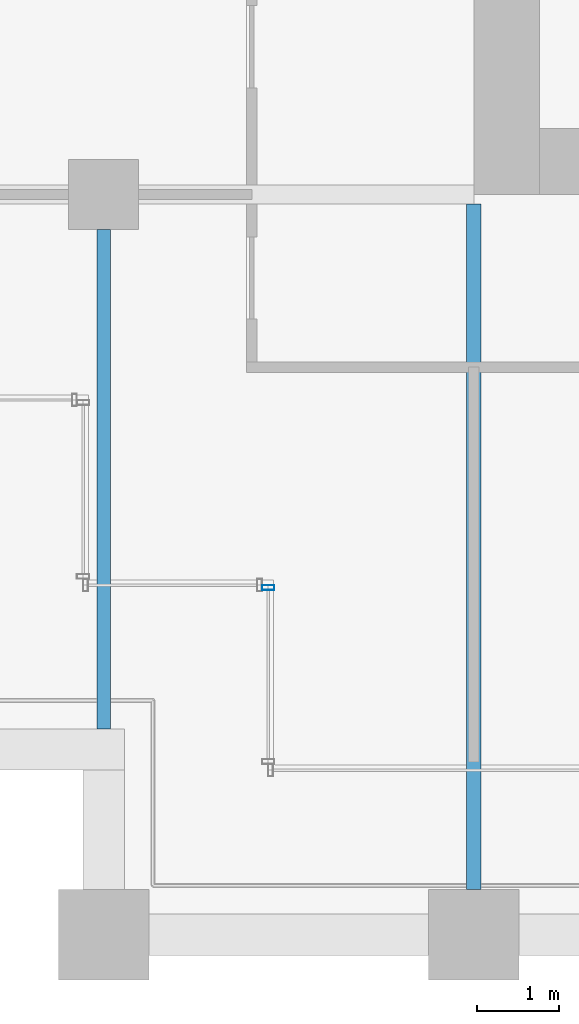
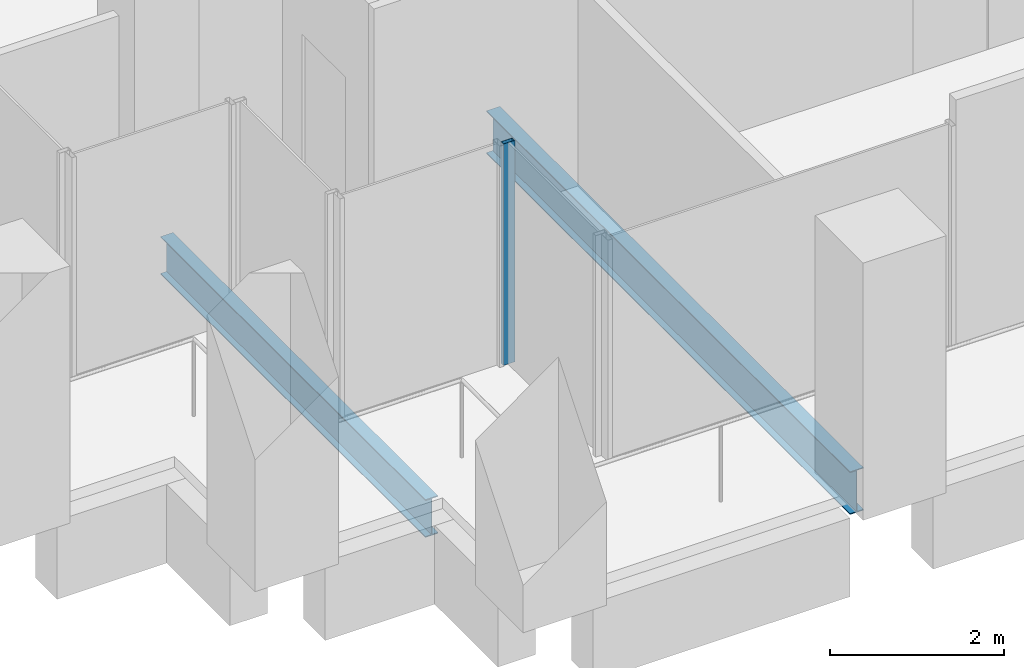
# One storey, part 35 of 56: 2 beams, 1 member, 1 element without a shape of its own.
"""IFC4 building model written with IfcOpenShell, lengths in metres."""

from ifc_helpers import new_model, si_unit, direction, frame, origin, origin_2d, place, context, subcontext, project, spatial, hollow_rectangle, i_section, extrude, material, material_profile, profile_set, type_object, element, aggregate, save


model = new_model("IFC4")

# Units and contexts
model_context = context("Model", 3, precision=1e-05, world=origin(), true_north=direction((0.0, 1.0)))
body_context = subcontext(model_context, "Body", "Model", "MODEL_VIEW")
ifc_project = project(units=[si_unit("LENGTHUNIT", "METRE"), si_unit("AREAUNIT", "SQUARE_METRE"), si_unit("VOLUMEUNIT", "CUBIC_METRE"), si_unit("PLANEANGLEUNIT", "RADIAN"), si_unit("MASSUNIT", "GRAM", prefix="KILO")], contexts=[model_context])

# Site, building, storey
site_placement = place(None, origin())
site = spatial("IfcSite", under=ifc_project, at=site_placement, CompositionType="ELEMENT")
building_placement = place(site_placement, origin())
building = spatial("IfcBuilding", under=site, at=building_placement, Name="Altepetl Exchange Towers", CompositionType="ELEMENT")
storey_placement = place(building_placement, frame((0.0, 0.0, 54.60009765625)))
storey = spatial("IfcBuildingStorey", under=building, at=storey_placement, Name="L12", CompositionType="ELEMENT", Elevation=54.60009765625)

# Beams
ifc_material_1 = material(Name="Steel S355", Category="steel")
ifc_material_profile_1 = material_profile(ifc_material_1, i_section(OverallWidth=0.166015625, OverallDepth=0.529052734375, WebThickness=0.009765625, FlangeThickness=0.013671875, at=origin_2d()), Name="W21X50")
ifc_profile_set_1 = profile_set([ifc_material_profile_1], Name="Steel S355")
beam_type_1 = type_object("IfcBeamType", Name="Floor beam W21X50", PredefinedType="BEAM", material=ifc_profile_set_1)
beam_1_placement = place(storey_placement, frame((99.0, 29.5, -0.41455078125), z_axis=(0.0, 1.0, 0.0), x_axis=(-1.0, 0.0, 0.0)))
element("IfcBeam", 1, at=beam_1_placement, inside=storey, type_object=beam_type_1, Name="bm:B:L12:008", PredefinedType="BEAM", context=body_context, shape_type="SweptSolid", body=[
    extrude(i_section(OverallWidth=0.166015625, OverallDepth=0.529052734375, WebThickness=0.009765625, FlangeThickness=0.013671875, at=origin_2d()), origin(), (0.0, 0.0, 1.0), 6.074951171875),
])
ifc_material_profile_2 = material_profile(ifc_material_1, i_section(OverallWidth=0.177978515625, OverallDepth=0.59912109375, WebThickness=0.010009765625, FlangeThickness=0.0126953125, at=origin_2d()), Name="W24X55")
ifc_profile_set_2 = profile_set([ifc_material_profile_2], Name="Steel S355")
beam_type_2 = type_object("IfcBeamType", Name="Floor beam W24X55", PredefinedType="BEAM", material=ifc_profile_set_2)
beam_2_placement = place(storey_placement, frame((103.5, 27.550048828125, -0.44970703125), z_axis=(0.0, 1.0, 0.0), x_axis=(-1.0, 0.0, 0.0)))
element("IfcBeam", 2, at=beam_2_placement, inside=storey, type_object=beam_type_2, Name="bm:B:L12:009", PredefinedType="BEAM", context=body_context, shape_type="SweptSolid", body=[
    extrude(i_section(OverallWidth=0.177978515625, OverallDepth=0.59912109375, WebThickness=0.010009765625, FlangeThickness=0.0126953125, at=origin_2d()), origin(), (0.0, 0.0, 1.0), 8.3359375),
])

# Curtain wall, member
ifc_material_2 = material(Name="Aluminium 6063-T6 glazing", Category="aluminium")
curtain_wall_type = type_object("IfcCurtainWallType", Name="Loggia glazing system", PredefinedType="NOTDEFINED", material=ifc_material_2)
curtain_wall_placement = place(storey_placement, origin())
curtain_wall = element("IfcCurtainWall", 3, at=curtain_wall_placement, inside=storey, type_object=curtain_wall_type, Name="CW1 run", PredefinedType="NOTDEFINED")
ifc_material_3 = material(Name="Aluminium 6063-T6", Category="aluminium")
ifc_material_profile_3 = material_profile(ifc_material_3, hollow_rectangle(XDim=0.06005859375, YDim=0.14990234375, WallThickness=0.0029296875, at=origin_2d()), Name="Mullion 60x150 aluminium")
ifc_profile_set_3 = profile_set([ifc_material_profile_3], Name="Aluminium 6063-T6")
member_type = type_object("IfcMemberType", Name="Mullion 60x150 aluminium", PredefinedType="MULLION", material=ifc_profile_set_3)
member_placement = place(storey_placement, frame((101.0, 31.219970703125, 0.0), z_axis=(0.0, 0.0, 1.0), x_axis=(0.0, -1.0, 0.0)))
member = element("IfcMember", 4, at=member_placement, type_object=member_type, Name="MU1 mullion", PredefinedType="MULLION", context=body_context, shape_type="SweptSolid", body=[
    extrude(hollow_rectangle(XDim=0.06005859375, YDim=0.14990234375, WallThickness=0.0029296875, at=origin_2d()), origin(), (0.0, 0.0, 1.0), 3.099853515625),
])
aggregate(curtain_wall, [member])

save(model, "model.ifc")
